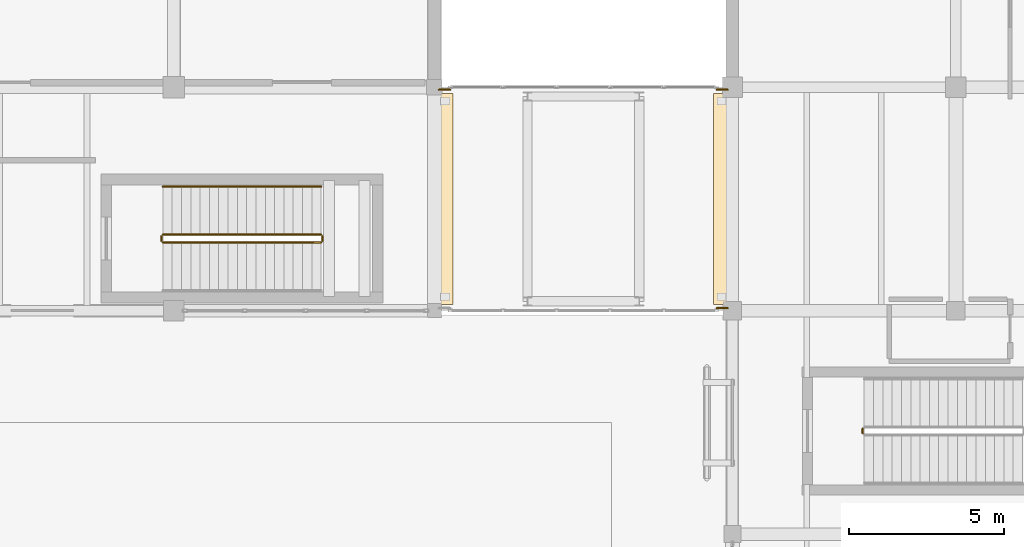
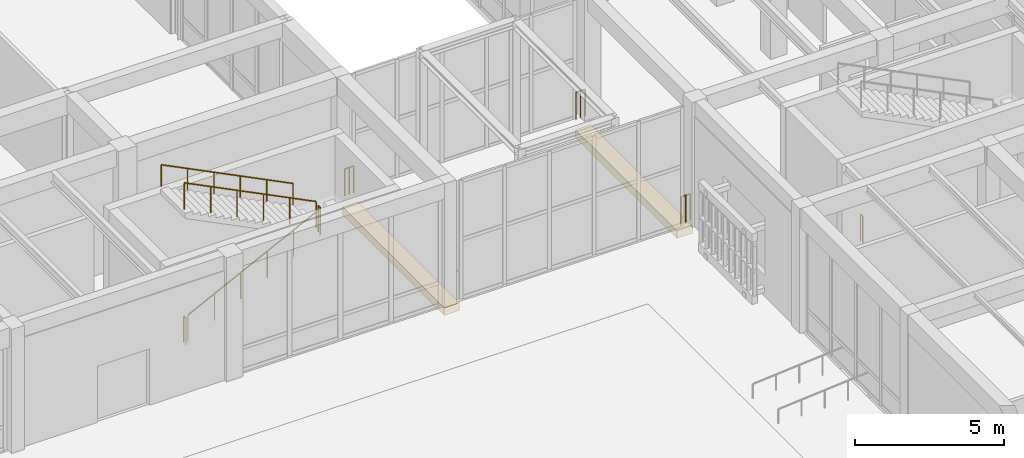
# One storey, part 158 of 169: 9 railings, 2 coverings.
"""IFC4 building model written with IfcOpenShell, lengths in metres."""

from ifc_helpers import new_model, si_unit, direction, frame, origin, origin_2d, place, context, subcontext, project, spatial, polyline, circle, outline, extrude, material, layer, layer_set, type_object, element, save


model = new_model("IFC4")

# Units and contexts
model_context = context("Model", 3, precision=1e-05, world=origin(), true_north=direction((0.0, 1.0)))
body_context = subcontext(model_context, "Body", "Model", "MODEL_VIEW")
ifc_project = project(units=[si_unit("LENGTHUNIT", "METRE"), si_unit("AREAUNIT", "SQUARE_METRE"), si_unit("VOLUMEUNIT", "CUBIC_METRE"), si_unit("PLANEANGLEUNIT", "RADIAN"), si_unit("MASSUNIT", "GRAM", prefix="KILO")], contexts=[model_context])

# Site, building, storey
site_placement = place(None, origin())
site = spatial("IfcSite", under=ifc_project, at=site_placement, CompositionType="ELEMENT")
building_placement = place(site_placement, origin())
building = spatial("IfcBuilding", under=site, at=building_placement, Name="Mazaris Harbour Polytechnic", CompositionType="ELEMENT")
storey_placement = place(building_placement, origin())
storey = spatial("IfcBuildingStorey", under=building, at=storey_placement, Name="L00", CompositionType="ELEMENT", Elevation=0.0)

# Coverings
ifc_material_1 = material(Name="Concrete C40/50", Category="concrete")
ifc_layer = layer(ifc_material_1, 0.320068359375, Name="Concrete C40/50")
ifc_layer_set = layer_set([ifc_layer], Name="Concrete C40/50")
covering_type = type_object("IfcCoveringType", Name="Bridge Bearing Corbel 600 Exterior", PredefinedType="CLADDING", material=ifc_layer_set)
covering_1_placement = place(storey_placement, frame((0.0, 0.0, -0.64990234375)))
element("IfcCovering", 1, at=covering_1_placement, inside=storey, type_object=covering_type, Name="PB-E2 L00 600mm Bridge Bearing Seat Corbel W", PredefinedType="CLADDING", context=body_context, shape_type="SweptSolid", body=[
    extrude(outline(polyline([(112.800048828125, 75.800048828125), (113.39990234375, 75.800048828125), (113.39990234375, 82.60009765625), (112.800048828125, 82.60009765625), (112.800048828125, 75.800048828125)])), origin(), (0.0, 0.0, 1.0), 0.31982421875),
])
covering_2_placement = place(storey_placement, frame((0.0, 0.0, -0.64990234375)))
element("IfcCovering", 2, at=covering_2_placement, inside=storey, type_object=covering_type, Name="PB-E2 L00 600mm Bridge Bearing Seat Corbel E", PredefinedType="CLADDING", context=body_context, shape_type="SweptSolid", body=[
    extrude(outline(polyline([(121.800048828125, 75.800048828125), (122.39990234375, 75.800048828125), (122.39990234375, 82.60009765625), (121.800048828125, 82.60009765625), (121.800048828125, 75.800048828125)])), origin(), (0.0, 0.0, 1.0), 0.31982421875),
])

# Railings
ifc_material_2 = material(Name="Steel S355", Category="steel")
railing_type_1 = type_object("IfcRailingType", Name="Mezzanine Steel Guardrail 1100 Exterior", PredefinedType="GUARDRAIL", material=ifc_material_2)
for number, where, name in (
    (3, (121.89990234375, 75.679931640625, 0.0), "PB-E2 L00 Bridge End Guard E0"),
    (4, (112.949951171875, 82.719970703125, 0.0), "PB-E2 L00 Bridge End Guard W1"),
    (5, (121.89990234375, 82.719970703125, 0.0), "PB-E2 L00 Bridge End Guard E1"),
):
    element("IfcRailing", number, at=place(storey_placement, frame(where)), inside=storey, type_object=railing_type_1, Name=name, PredefinedType="GUARDRAIL", context=body_context, shape_type="SweptSolid", body=[
        extrude(circle(Radius=0.02392578125, at=origin_2d()), frame((0.0, 0.0, 1.09619140625), z_axis=(1.0, 0.0, 0.0), x_axis=(0.0, 1.0, 0.0)), (0.0, 0.0, 1.0), 0.35009765625),
        extrude(circle(Radius=0.02099609375, at=origin_2d()), origin(), (0.0, 0.0, 1.0), 1.072021484375),
        extrude(circle(Radius=0.02099609375, at=origin_2d()), frame((0.175048828125, 0.0, 0.0)), (0.0, 0.0, 1.0), 1.072021484375),
        extrude(circle(Radius=0.02099609375, at=origin_2d()), frame((0.35009765625, 0.0, 0.0)), (0.0, 0.0, 1.0), 1.072021484375),
    ])
ifc_material_3 = material(Name="Stainless Steel S355", Category="steel")
railing_type_2 = type_object("IfcRailingType", Name="Stair Wall Handrail 900", PredefinedType="HANDRAIL", material=ifc_material_3)
railing_1_placement = place(storey_placement, frame((109.14990234375, 79.60009765625, 2.85009765625)))
element("IfcRailing", 6, at=railing_1_placement, inside=storey, type_object=railing_type_2, Name="L00 ST02 stair handrail 2", PredefinedType="HANDRAIL", context=body_context, shape_type="SweptSolid", body=[
    extrude(circle(Radius=0.02392578125, at=origin_2d()), frame((0.0, 0.0, 0.8759765625), z_axis=(-0.894435754537, 0.0, 0.447196468016), x_axis=(0.0, -1.0, 0.0)), (0.0, 0.0, 1.0), 5.70166015625),
    extrude(circle(Radius=0.02099609375, at=origin_2d()), origin(), (0.0, 0.0, 1.0), 0.851806640625),
    extrude(circle(Radius=0.02099609375, at=origin_2d()), frame((-1.02001953125, 0.0, 0.510009765625)), (0.0, 0.0, 1.0), 0.851806640625),
    extrude(circle(Radius=0.02099609375, at=origin_2d()), frame((-2.0400390625, 0.0, 1.02001953125)), (0.0, 0.0, 1.0), 0.851806640625),
    extrude(circle(Radius=0.02099609375, at=origin_2d()), frame((-3.059814453125, 0.0, 1.52978515625)), (0.0, 0.0, 1.0), 0.851806640625),
    extrude(circle(Radius=0.02099609375, at=origin_2d()), frame((-4.079833984375, 0.0, 2.039794921875)), (0.0, 0.0, 1.0), 0.851806640625),
    extrude(circle(Radius=0.02099609375, at=origin_2d()), frame((-5.099853515625, 0.0, 2.5498046875)), (0.0, 0.0, 1.0), 0.851806640625),
])
ifc_material_4 = material(Name="Steel S355", Category="steel")
railing_type_3 = type_object("IfcRailingType", Name="Stair Well Guardrail 1100", PredefinedType="GUARDRAIL", material=ifc_material_4)
railing_2_placement = place(storey_placement, frame((104.050048828125, 77.800048828125, 0.14990234375)))
element("IfcRailing", 7, at=railing_2_placement, inside=storey, type_object=railing_type_3, Name="L00 ST02 stair guard 1", PredefinedType="GUARDRAIL", context=body_context, shape_type="SweptSolid", body=[
    extrude(circle(Radius=0.02392578125, at=origin_2d()), frame((0.0, 0.0, 1.076171875), z_axis=(0.894418627299, 0.0, 0.447230722492), x_axis=(0.0, 1.0, 0.0)), (0.0, 0.0, 1.0), 5.701904296875),
    extrude(circle(Radius=0.02099609375, at=origin_2d()), origin(), (0.0, 0.0, 1.0), 1.052001953125),
    extrude(circle(Radius=0.02099609375, at=origin_2d()), frame((1.02001953125, 0.0, 0.510009765625)), (0.0, 0.0, 1.0), 1.052001953125),
    extrude(circle(Radius=0.02099609375, at=origin_2d()), frame((2.0400390625, 0.0, 1.02001953125)), (0.0, 0.0, 1.0), 1.052001953125),
    extrude(circle(Radius=0.02099609375, at=origin_2d()), frame((3.059814453125, 0.0, 1.530029296875)), (0.0, 0.0, 1.0), 1.052001953125),
    extrude(circle(Radius=0.02099609375, at=origin_2d()), frame((4.079833984375, 0.0, 2.0400390625)), (0.0, 0.0, 1.0), 1.052001953125),
    extrude(circle(Radius=0.02099609375, at=origin_2d()), frame((5.099853515625, 0.0, 2.550048828125)), (0.0, 0.0, 1.0), 1.052001953125),
])
railing_3_placement = place(storey_placement, frame((109.199951171875, 77.85009765625, 2.699951171875)))
element("IfcRailing", 8, at=railing_3_placement, inside=storey, type_object=railing_type_3, Name="L00 ST02 stair guard 2", PredefinedType="GUARDRAIL", context=body_context, shape_type="SweptSolid", body=[
    extrude(circle(Radius=0.02392578125, at=origin_2d()), frame((0.0, 0.0, 1.076171875), z_axis=(0.0, 1.0, 0.0), x_axis=(-1.0, 0.0, 0.0)), (0.0, 0.0, 1.0), 0.14990234375),
    extrude(circle(Radius=0.02099609375, at=origin_2d()), origin(), (0.0, 0.0, 1.0), 1.052001953125),
    extrude(circle(Radius=0.02099609375, at=origin_2d()), frame((0.0, 0.14990234375, 0.0)), (0.0, 0.0, 1.0), 1.052001953125),
])
railing_4_placement = place(storey_placement, frame((109.14990234375, 78.050048828125, 2.85009765625)))
element("IfcRailing", 9, at=railing_4_placement, inside=storey, type_object=railing_type_3, Name="L00 ST02 stair guard 3", PredefinedType="GUARDRAIL", context=body_context, shape_type="SweptSolid", body=[
    extrude(circle(Radius=0.02392578125, at=origin_2d()), frame((0.0, 0.0, 1.076171875), z_axis=(-0.894435754537, 0.0, 0.447196468016), x_axis=(0.0, -1.0, 0.0)), (0.0, 0.0, 1.0), 5.70166015625),
    extrude(circle(Radius=0.02099609375, at=origin_2d()), origin(), (0.0, 0.0, 1.0), 1.052001953125),
    extrude(circle(Radius=0.02099609375, at=origin_2d()), frame((-1.02001953125, 0.0, 0.510009765625)), (0.0, 0.0, 1.0), 1.052001953125),
    extrude(circle(Radius=0.02099609375, at=origin_2d()), frame((-2.0400390625, 0.0, 1.02001953125)), (0.0, 0.0, 1.0), 1.052001953125),
    extrude(circle(Radius=0.02099609375, at=origin_2d()), frame((-3.059814453125, 0.0, 1.52978515625)), (0.0, 0.0, 1.0), 1.052001953125),
    extrude(circle(Radius=0.02099609375, at=origin_2d()), frame((-4.079833984375, 0.0, 2.039794921875)), (0.0, 0.0, 1.0), 1.052001953125),
    extrude(circle(Radius=0.02099609375, at=origin_2d()), frame((-5.099853515625, 0.0, 2.5498046875)), (0.0, 0.0, 1.0), 1.052001953125),
])
railing_5_placement = place(storey_placement, frame((104.0, 77.85009765625, 0.0)))
element("IfcRailing", 10, at=railing_5_placement, inside=storey, type_object=railing_type_3, Name="L00 ST02 stair guard 4", PredefinedType="GUARDRAIL", context=body_context, shape_type="SweptSolid", body=[
    extrude(circle(Radius=0.02392578125, at=origin_2d()), frame((0.0, 0.0, 1.076171875), z_axis=(0.0, 1.0, 0.0), x_axis=(-1.0, 0.0, 0.0)), (0.0, 0.0, 1.0), 0.14990234375),
    extrude(circle(Radius=0.02099609375, at=origin_2d()), origin(), (0.0, 0.0, 1.0), 1.052001953125),
    extrude(circle(Radius=0.02099609375, at=origin_2d()), frame((0.0, 0.14990234375, 0.0)), (0.0, 0.0, 1.0), 1.052001953125),
])
railing_6_placement = place(storey_placement, frame((126.60009765625, 71.64990234375, 0.0)))
element("IfcRailing", 11, at=railing_6_placement, inside=storey, type_object=railing_type_3, Name="L00 ST09 stair guard 4", PredefinedType="GUARDRAIL", context=body_context, shape_type="SweptSolid", body=[
    extrude(circle(Radius=0.02392578125, at=origin_2d()), frame((0.0, 0.0, 1.076171875), z_axis=(0.0, 1.0, 0.0), x_axis=(-1.0, 0.0, 0.0)), (0.0, 0.0, 1.0), 0.150146484375),
    extrude(circle(Radius=0.02099609375, at=origin_2d()), origin(), (0.0, 0.0, 1.0), 1.052001953125),
    extrude(circle(Radius=0.02099609375, at=origin_2d()), frame((0.0, 0.150146484375, 0.0)), (0.0, 0.0, 1.0), 1.052001953125),
])

save(model, "model.ifc")
